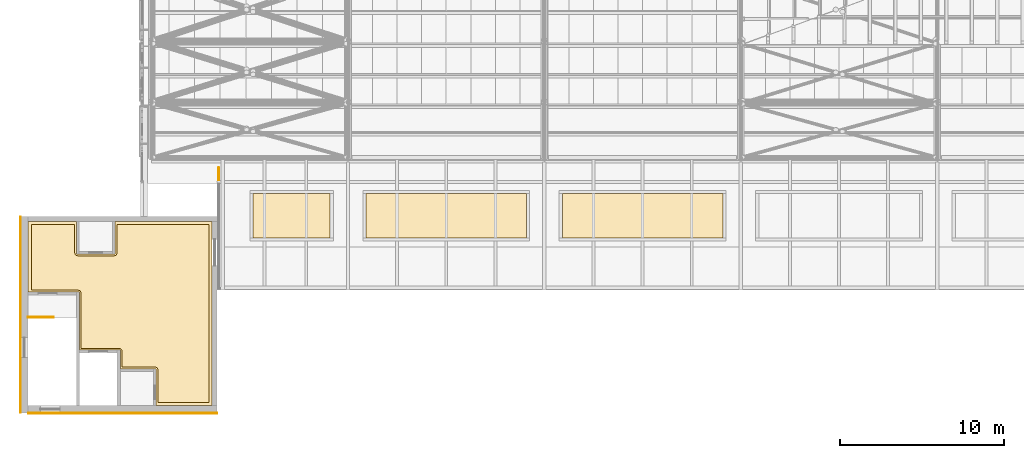
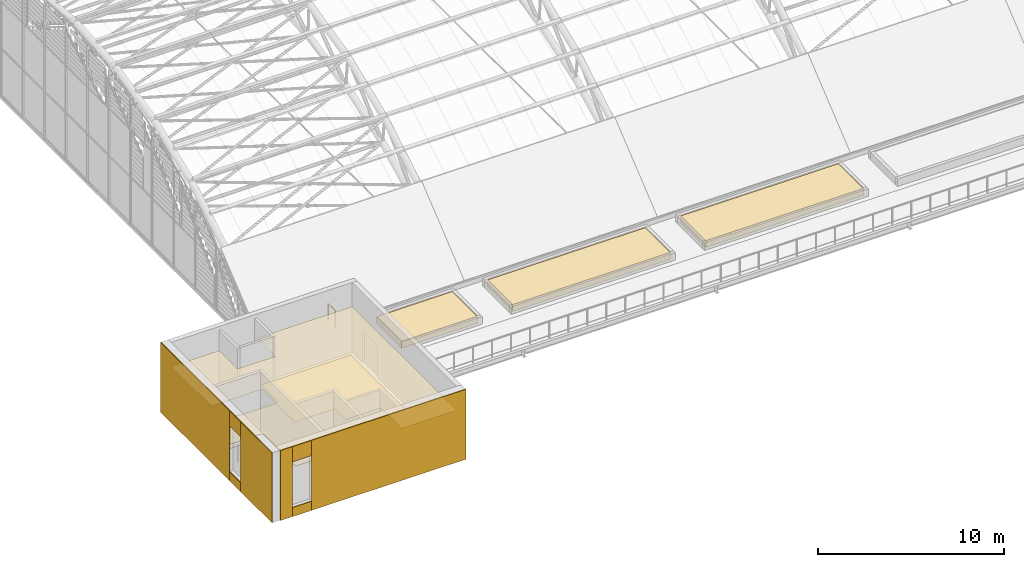
# One storey, part 103 of 110: 13 coverings, 2 railings.
"""IFC4 building model written with IfcOpenShell, lengths in metres."""

from ifc_helpers import new_model, si_unit, direction, frame, origin, origin_2d, place, context, subcontext, project, spatial, polyline, circle, outline, extrude, material, layer, layer_set, type_object, element, save


model = new_model("IFC4")

# Units and contexts
model_context = context("Model", 3, precision=1e-05, world=origin(), true_north=direction((0.0, 1.0)))
body_context = subcontext(model_context, "Body", "Model", "MODEL_VIEW")
ifc_project = project(units=[si_unit("LENGTHUNIT", "METRE"), si_unit("AREAUNIT", "SQUARE_METRE"), si_unit("VOLUMEUNIT", "CUBIC_METRE"), si_unit("PLANEANGLEUNIT", "RADIAN"), si_unit("MASSUNIT", "GRAM", prefix="KILO")], contexts=[model_context])

# Site, building, storey
site_placement = place(None, origin())
site = spatial("IfcSite", under=ifc_project, at=site_placement, CompositionType="ELEMENT")
building_placement = place(site_placement, origin())
building = spatial("IfcBuilding", under=site, at=building_placement, Name="Windward Yard Aquatics Centre", CompositionType="ELEMENT")
storey_placement = place(building_placement, frame((0.0, 0.0, 22.60009765625)))
storey = spatial("IfcBuildingStorey", under=building, at=storey_placement, Name="L05", CompositionType="ELEMENT", Elevation=22.60009765625)

# Covering
ifc_material_1 = material(Name="Polished screed")
ifc_layer_1 = layer(ifc_material_1, 0.0400390625)
ifc_layer_set_1 = layer_set([ifc_layer_1], Name="H Floor Finish Screed 40")
covering_type_1 = type_object("IfcCoveringType", Name="H Floor Finish Screed 40", PredefinedType="FLOORING", material=ifc_layer_set_1)
covering_1_placement = place(storey_placement, origin())
element("IfcCovering", 1, at=covering_1_placement, inside=storey, type_object=covering_type_1, Name="Core Lobby SW floor finish", PredefinedType="FLOORING", context=body_context, shape_type="SweptSolid", body=[
    extrude(outline(polyline([(52.64990234375, 33.5), (52.64990234375, 37.5), (55.300048828125, 37.5), (55.301025390625, 35.780517578125), (55.30859375, 35.741943359375), (55.323486328125, 35.705810546875), (55.345458984375, 35.673095703125), (55.373046875, 35.6455078125), (55.388916015625, 35.6337890625), (55.423583984375, 35.615234375), (55.4609375, 35.603759765625), (55.5, 35.60009765625), (57.699951171875, 35.60009765625), (57.739013671875, 35.603759765625), (57.776611328125, 35.615234375), (57.81103515625, 35.6337890625), (57.826904296875, 35.6455078125), (57.8544921875, 35.673095703125), (57.87646484375, 35.705810546875), (57.891357421875, 35.741943359375), (57.89892578125, 35.780517578125), (57.89990234375, 35.800048828125), (57.89990234375, 37.5), (63.5, 37.5), (63.5, 26.64990234375), (60.39990234375, 26.64990234375), (60.39990234375, 28.60009765625), (60.39892578125, 28.61962890625), (60.391357421875, 28.658203125), (60.37646484375, 28.6943359375), (60.3544921875, 28.726806640625), (60.326904296875, 28.754638671875), (60.31103515625, 28.766357421875), (60.294189453125, 28.7763671875), (60.258056640625, 28.79150390625), (60.239013671875, 28.796142578125), (60.199951171875, 28.800048828125), (58.199951171875, 28.800048828125), (58.198974609375, 29.76953125), (58.19140625, 29.80810546875), (58.184814453125, 29.826416015625), (58.166259765625, 29.861083984375), (58.154541015625, 29.876953125), (58.126953125, 29.904541015625), (58.111083984375, 29.916259765625), (58.09423828125, 29.926513671875), (58.05810546875, 29.94140625), (58.0390625, 29.9462890625), (58.0, 29.949951171875), (55.699951171875, 29.949951171875), (55.699951171875, 33.300048828125), (55.698974609375, 33.319580078125), (55.69140625, 33.358154296875), (55.676513671875, 33.394287109375), (55.654541015625, 33.427001953125), (55.626953125, 33.45458984375), (55.611083984375, 33.46630859375), (55.576416015625, 33.48486328125), (55.5390625, 33.49609375), (55.5, 33.5), (52.64990234375, 33.5)])), origin(), (0.0, 0.0, 1.0), 0.02001953125),
])

# Railing
ifc_material_2 = material(Name="Stainless steel 1.4529", Category="steel")
railing_type_1 = type_object("IfcRailingType", Name="H Guard Steel 1100", PredefinedType="GUARDRAIL", material=ifc_material_2)
railing_1_placement = place(storey_placement, frame((52.449951171875, 31.85009765625, 0.0)))
element("IfcRailing", 2, at=railing_1_placement, inside=storey, type_object=railing_type_1, Name="L05 ST1 top well guard 1", PredefinedType="GUARDRAIL", context=body_context, shape_type="SweptSolid", body=[
    extrude(circle(Radius=0.02392578125, at=origin_2d()), frame((0.0, 0.0, 1.076171875), z_axis=(1.0, 0.0, 0.0), x_axis=(0.0, 1.0, 0.0)), (0.0, 0.0, 1.0), 1.550048828125),
    extrude(circle(Radius=0.02099609375, at=origin_2d()), origin(), (0.0, 0.0, 1.0), 1.052001953125),
    extrude(circle(Radius=0.02099609375, at=origin_2d()), frame((0.77490234375, 0.0, 0.0)), (0.0, 0.0, 1.0), 1.052001953125),
    extrude(circle(Radius=0.02099609375, at=origin_2d()), frame((1.550048828125, 0.0, 0.0)), (0.0, 0.0, 1.0), 1.052001953125),
])

# Coverings
ifc_material_3 = material(Name="Mineral fibre tile")
ifc_layer_2 = layer(ifc_material_3, 0.02001953125)
ifc_layer_set_2 = layer_set([ifc_layer_2], Name="H Suspended Ceiling 600 x 600")
covering_type_2 = type_object("IfcCoveringType", Name="H Suspended Ceiling 600 x 600", PredefinedType="CEILING", material=ifc_layer_set_2)
covering_2_placement = place(storey_placement, frame((0.0, 0.0, 3.0)))
element("IfcCovering", 3, at=covering_2_placement, inside=storey, type_object=covering_type_2, Name="Core Lobby SW ceiling", PredefinedType="CEILING", context=body_context, shape_type="SweptSolid", body=[
    extrude(outline(polyline([(52.450439453125, 33.400390625), (52.450439453125, 37.699462890625), (55.424560546875, 37.699462890625), (55.424560546875, 35.72509765625), (55.574951171875, 35.724609375), (57.775390625, 35.72509765625), (57.775390625, 37.699462890625), (63.699462890625, 37.699462890625), (63.699462890625, 26.450439453125), (60.275390625, 26.450439453125), (60.275390625, 28.675048828125), (58.1005859375, 28.675537109375), (58.1005859375, 29.85009765625), (55.6005859375, 29.8505859375), (55.6005859375, 33.39990234375), (52.450439453125, 33.400390625)])), origin(), (0.0, 0.0, 1.0), 0.02001953125),
])
ifc_material_4 = material(Name="Natural limestone cladding", Category="masonry")
ifc_layer_3 = layer(ifc_material_4, 0.0400390625)
ifc_layer_set_3 = layer_set([ifc_layer_3], Name="H natural stone cladding 40")
covering_type_3 = type_object("IfcCoveringType", Name="H natural stone cladding 40", PredefinedType="CLADDING", material=ifc_layer_set_3)
covering_3_placement = place(storey_placement, origin())
element("IfcCovering", 4, at=covering_3_placement, inside=storey, type_object=covering_type_3, Name="Stone cladding panel 131", PredefinedType="CLADDING", context=body_context, shape_type="SweptSolid", body=[
    extrude(outline(polyline([(52.449951171875, 25.9599609375), (52.449951171875, 26.0), (53.199951171875, 26.0), (53.199951171875, 25.9599609375), (52.449951171875, 25.9599609375)])), origin(), (0.0, 0.0, 1.0), 4.599853515625),
])
covering_4_placement = place(storey_placement, origin())
element("IfcCovering", 5, at=covering_4_placement, inside=storey, type_object=covering_type_3, Name="Stone cladding panel 132", PredefinedType="CLADDING", context=body_context, shape_type="SweptSolid", body=[
    extrude(outline(polyline([(53.199951171875, 25.9599609375), (53.199951171875, 26.0), (54.39990234375, 26.0), (54.39990234375, 25.9599609375), (53.199951171875, 25.9599609375)])), origin(), (0.0, 0.0, 1.0), 0.599853515625),
])
covering_5_placement = place(storey_placement, frame((0.0, 0.0, 3.599853515625)))
element("IfcCovering", 6, at=covering_5_placement, inside=storey, type_object=covering_type_3, Name="Stone cladding panel 133", PredefinedType="CLADDING", context=body_context, shape_type="SweptSolid", body=[
    extrude(outline(polyline([(53.199951171875, 25.9599609375), (53.199951171875, 26.0), (54.39990234375, 26.0), (54.39990234375, 25.9599609375), (53.199951171875, 25.9599609375)])), origin(), (0.0, 0.0, 1.0), 1.0),
])
covering_6_placement = place(storey_placement, origin())
element("IfcCovering", 7, at=covering_6_placement, inside=storey, type_object=covering_type_3, Name="Stone cladding panel 134", PredefinedType="CLADDING", context=body_context, shape_type="SweptSolid", body=[
    extrude(outline(polyline([(54.39990234375, 25.9599609375), (54.39990234375, 26.0), (64.0, 26.0), (64.0, 25.9599609375), (54.39990234375, 25.9599609375)])), origin(), (0.0, 0.0, 1.0), 4.599853515625),
])
covering_7_placement = place(storey_placement, origin())
element("IfcCovering", 8, at=covering_7_placement, inside=storey, type_object=covering_type_3, Name="Stone cladding panel 157", PredefinedType="CLADDING", context=body_context, shape_type="SweptSolid", body=[
    extrude(outline(polyline([(51.9599609375, 26.0), (52.0, 26.0), (52.0, 29.39990234375), (51.9599609375, 29.39990234375), (51.9599609375, 26.0)])), origin(), (0.0, 0.0, 1.0), 4.599853515625),
])
covering_8_placement = place(storey_placement, origin())
element("IfcCovering", 9, at=covering_8_placement, inside=storey, type_object=covering_type_3, Name="Stone cladding panel 158", PredefinedType="CLADDING", context=body_context, shape_type="SweptSolid", body=[
    extrude(outline(polyline([(51.9599609375, 29.39990234375), (52.0, 29.39990234375), (52.0, 30.60009765625), (51.9599609375, 30.60009765625), (51.9599609375, 29.39990234375)])), origin(), (0.0, 0.0, 1.0), 0.599853515625),
])
covering_9_placement = place(storey_placement, frame((0.0, 0.0, 3.599853515625)))
element("IfcCovering", 10, at=covering_9_placement, inside=storey, type_object=covering_type_3, Name="Stone cladding panel 159", PredefinedType="CLADDING", context=body_context, shape_type="SweptSolid", body=[
    extrude(outline(polyline([(51.9599609375, 29.39990234375), (52.0, 29.39990234375), (52.0, 30.60009765625), (51.9599609375, 30.60009765625), (51.9599609375, 29.39990234375)])), origin(), (0.0, 0.0, 1.0), 1.0),
])
covering_10_placement = place(storey_placement, origin())
element("IfcCovering", 11, at=covering_10_placement, inside=storey, type_object=covering_type_3, Name="Stone cladding panel 160", PredefinedType="CLADDING", context=body_context, shape_type="SweptSolid", body=[
    extrude(outline(polyline([(51.9599609375, 30.60009765625), (52.0, 30.60009765625), (52.0, 38.0), (51.9599609375, 38.0), (51.9599609375, 30.60009765625)])), origin(), (0.0, 0.0, 1.0), 4.599853515625),
])
ifc_material_5 = material(Name="Planting soil")
ifc_layer_4 = layer(ifc_material_5, 0.398, Name="Planting")
ifc_material_6 = material(Name="Filter fabric")
ifc_layer_5 = layer(ifc_material_6, 0.002, Name="Filter")
ifc_material_7 = material(Name="Drainage board")
ifc_layer_6 = layer(ifc_material_7, 0.05, Name="Drainage")
ifc_layer_set_4 = layer_set([ifc_layer_4, ifc_layer_5, ifc_layer_6], Name="H planting bed 450")
covering_type_4 = type_object("IfcCoveringType", Name="H planting bed 450", PredefinedType="USERDEFINED", material=ifc_layer_set_4)
covering_11_placement = place(storey_placement, origin())
element("IfcCovering", 12, at=covering_11_placement, inside=storey, type_object=covering_type_4, Name="Planting bed T2 S1", ObjectType="PLANTING BED", PredefinedType="USERDEFINED", context=body_context, shape_type="SweptSolid", body=[
    extrude(outline(polyline([(66.199951171875, 36.699951171875), (70.89990234375, 36.699951171875), (70.89990234375, 39.39990234375), (66.199951171875, 39.39990234375), (66.199951171875, 36.699951171875)])), origin(), (0.0, 0.0, 1.0), 0.449951171875),
])
covering_12_placement = place(storey_placement, origin())
element("IfcCovering", 13, at=covering_12_placement, inside=storey, type_object=covering_type_4, Name="Planting bed T2 S2", ObjectType="PLANTING BED", PredefinedType="USERDEFINED", context=body_context, shape_type="SweptSolid", body=[
    extrude(outline(polyline([(73.10009765625, 36.699951171875), (82.89990234375, 36.699951171875), (82.89990234375, 39.39990234375), (73.10009765625, 39.39990234375), (73.10009765625, 36.699951171875)])), origin(), (0.0, 0.0, 1.0), 0.449951171875),
])
covering_13_placement = place(storey_placement, origin())
element("IfcCovering", 14, at=covering_13_placement, inside=storey, type_object=covering_type_4, Name="Planting bed T2 S3", ObjectType="PLANTING BED", PredefinedType="USERDEFINED", context=body_context, shape_type="SweptSolid", body=[
    extrude(outline(polyline([(85.10009765625, 36.699951171875), (94.89990234375, 36.699951171875), (94.89990234375, 39.39990234375), (85.10009765625, 39.39990234375), (85.10009765625, 36.699951171875)])), origin(), (0.0, 0.0, 1.0), 0.449951171875),
])

# Railing
ifc_material_8 = material(Name="Stainless steel 1.4401 with toughened laminated glass infill", Category="steel")
railing_type_2 = type_object("IfcRailingType", Name="H terrace guard 1100", PredefinedType="GUARDRAIL", material=ifc_material_8)
railing_2_placement = place(storey_placement, frame((64.10009765625, 40.228759765625, 0.0)))
element("IfcRailing", 15, at=railing_2_placement, inside=storey, type_object=railing_type_2, Name="Terrace 2 guard S west end", PredefinedType="GUARDRAIL", context=body_context, shape_type="SweptSolid", body=[
    extrude(circle(Radius=0.02392578125, at=origin_2d()), frame((0.0, 0.0, 1.076171875), z_axis=(0.0, 1.0, 0.0), x_axis=(-1.0, 0.0, 0.0)), (0.0, 0.0, 1.0), 0.750244140625),
    extrude(circle(Radius=0.02099609375, at=origin_2d()), origin(), (0.0, 0.0, 1.0), 1.052001953125),
    extrude(circle(Radius=0.02099609375, at=origin_2d()), frame((0.0, 0.750244140625, 0.0)), (0.0, 0.0, 1.0), 1.052001953125),
])

save(model, "model.ifc")
